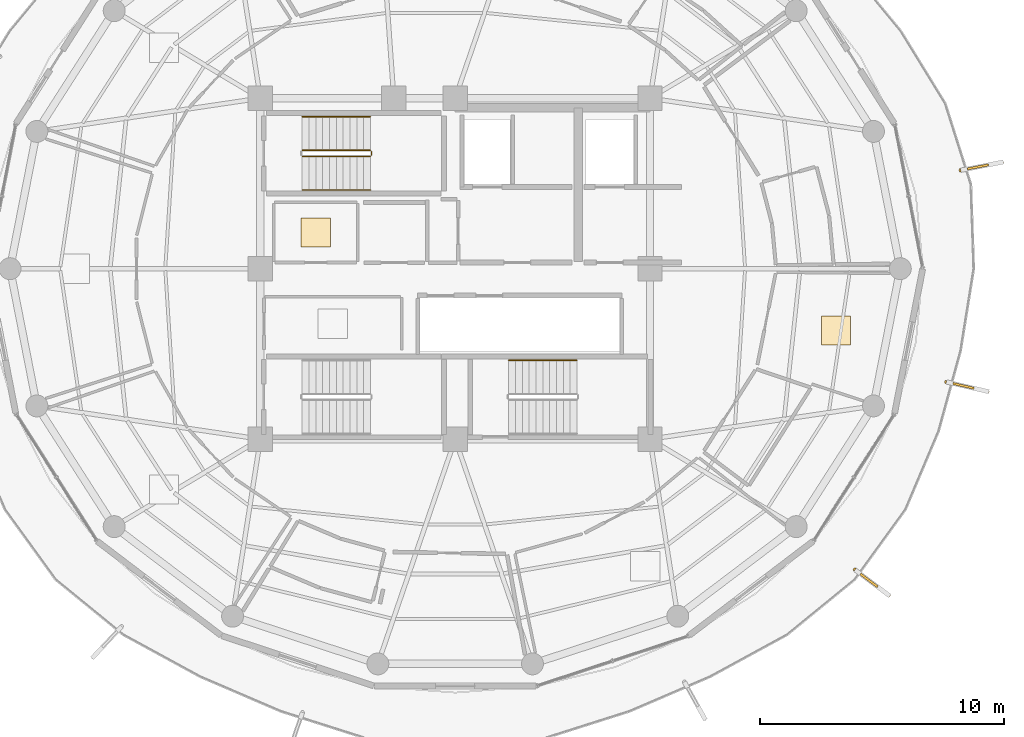
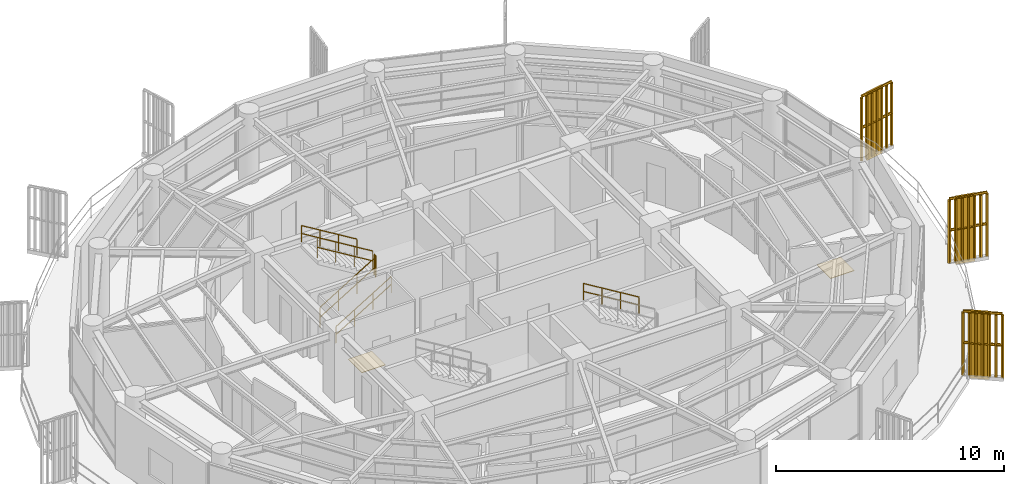
# One storey, part 23 of 24: 9 railings, 3 shading devices, 2 coverings.
"""IFC4 building model written with IfcOpenShell, lengths in metres."""

from ifc_helpers import new_model, si_unit, direction, frame, origin, origin_2d, place, context, subcontext, project, spatial, polyline, rectangle, outline, extrude, source, transform, mapped, material, layer, layer_set, type_object, element, save


model = new_model("IFC4")

# Units and contexts
model_context = context("Model", 3, precision=1e-05, world=origin(), true_north=direction((0.0, 1.0)))
body_context = subcontext(model_context, "Body", "Model", "MODEL_VIEW")
ifc_project = project(units=[si_unit("LENGTHUNIT", "METRE"), si_unit("AREAUNIT", "SQUARE_METRE"), si_unit("VOLUMEUNIT", "CUBIC_METRE"), si_unit("PLANEANGLEUNIT", "RADIAN"), si_unit("MASSUNIT", "GRAM", prefix="KILO")], contexts=[model_context])

# Site, building, storey
site_placement = place(None, origin())
site = spatial("IfcSite", under=ifc_project, at=site_placement, CompositionType="ELEMENT")
building_placement = place(site_placement, origin())
building = spatial("IfcBuilding", under=site, at=building_placement, Name="Kelanora Arch Commons", CompositionType="ELEMENT")
storey_placement = place(building_placement, frame((0.0, 0.0, 248.699951171875)))
storey = spatial("IfcBuildingStorey", under=building, at=storey_placement, Name="L63", CompositionType="ELEMENT", Elevation=248.699951171875)

# Railings
ifc_material_1 = material(Name="Anodised bronze vertical shading fin rib assembly")
railing_type_1 = type_object("IfcRailingType", Name="RAIL-FIN-BRZ", PredefinedType="BALUSTRADE", material=ifc_material_1)
railing_1_placement = place(storey_placement, frame((90.419677734375, 45.6337890625, -0.02001953125)))
element("IfcRailing", 1, at=railing_1_placement, inside=storey, type_object=railing_type_1, Name="Sweeping Bronze Vertical Fin Blade L63-00", PredefinedType="BALUSTRADE", context=body_context, shape_type="SweptSolid", body=[
    extrude(outline(polyline([(0.06982421875, 0.0), (0.034912109375, 0.060546875), (-0.034912109375, 0.060546875), (-0.06982421875, 0.0), (-0.034912109375, -0.060546875), (0.034912109375, -0.060546875), (0.06982421875, 0.0)])), frame((0.0, 0.0, 3.419921875), z_axis=(0.798779010445, -0.60162454444, 0.0), x_axis=(0.60162454444, 0.798779010445, 0.0)), (0.0, 0.0, 1.0), 1.72998046875),
    extrude(outline(polyline([(0.06982421875, 0.0), (0.034912109375, 0.060546875), (-0.034912109375, 0.060546875), (-0.06982421875, 0.0), (-0.034912109375, -0.060546875), (0.034912109375, -0.060546875), (0.06982421875, 0.0)])), frame((0.0, 0.0, 1.7451171875), z_axis=(0.798779010445, -0.60162454444, 0.0), x_axis=(0.60162454444, 0.798779010445, 0.0)), (0.0, 0.0, 1.0), 1.72998046875),
    extrude(outline(polyline([(0.080078125, 0.0), (0.0400390625, 0.0693359375), (-0.0400390625, 0.0693359375), (-0.080078125, 0.0), (-0.0400390625, -0.0693359375), (0.0400390625, -0.0693359375), (0.080078125, 0.0)])), origin(), (0.0, 0.0, 1.0), 3.35009765625),
    extrude(outline(polyline([(0.080078125, 0.0), (0.0400390625, 0.0693359375), (-0.0400390625, 0.0693359375), (-0.080078125, 0.0), (-0.0400390625, -0.0693359375), (0.0400390625, -0.0693359375), (0.080078125, 0.0)])), frame((0.230224609375, -0.17333984375, 0.0)), (0.0, 0.0, 1.0), 3.35009765625),
    extrude(outline(polyline([(0.080078125, 0.0), (0.0400390625, 0.0693359375), (-0.0400390625, 0.0693359375), (-0.080078125, 0.0), (-0.0400390625, -0.0693359375), (0.0400390625, -0.0693359375), (0.080078125, 0.0)])), frame((0.460693359375, -0.346923828125, 0.0)), (0.0, 0.0, 1.0), 3.35009765625),
    extrude(outline(polyline([(0.080078125, 0.0), (0.0400390625, 0.0693359375), (-0.0400390625, 0.0693359375), (-0.080078125, 0.0), (-0.0400390625, -0.0693359375), (0.0400390625, -0.0693359375), (0.080078125, 0.0)])), frame((0.69091796875, -0.5205078125, 0.0)), (0.0, 0.0, 1.0), 3.35009765625),
    extrude(outline(polyline([(0.080078125, 0.0), (0.0400390625, 0.0693359375), (-0.0400390625, 0.0693359375), (-0.080078125, 0.0), (-0.0400390625, -0.0693359375), (0.0400390625, -0.0693359375), (0.080078125, 0.0)])), frame((0.921142578125, -0.69384765625, 0.0)), (0.0, 0.0, 1.0), 3.35009765625),
    extrude(outline(polyline([(0.080078125, 0.0), (0.0400390625, 0.0693359375), (-0.0400390625, 0.0693359375), (-0.080078125, 0.0), (-0.0400390625, -0.0693359375), (0.0400390625, -0.0693359375), (0.080078125, 0.0)])), frame((1.151611328125, -0.8671875, 0.0)), (0.0, 0.0, 1.0), 3.35009765625),
    extrude(outline(polyline([(0.080078125, 0.0), (0.0400390625, 0.0693359375), (-0.0400390625, 0.0693359375), (-0.080078125, 0.0), (-0.0400390625, -0.0693359375), (0.0400390625, -0.0693359375), (0.080078125, 0.0)])), frame((1.3818359375, -1.040771484375, 0.0)), (0.0, 0.0, 1.0), 3.35009765625),
])
railing_2_placement = place(storey_placement, frame((94.1708984375, 53.3486328125, -0.02001953125)))
element("IfcRailing", 2, at=railing_2_placement, inside=storey, type_object=railing_type_1, Name="Sweeping Bronze Vertical Fin Blade L63-01", PredefinedType="BALUSTRADE", context=body_context, shape_type="SweptSolid", body=[
    extrude(outline(polyline([(0.06982421875, 0.0), (0.034912109375, 0.060546875), (-0.034912109375, 0.060546875), (-0.06982421875, 0.0), (-0.034912109375, -0.060546875), (0.034912109375, -0.060546875), (0.06982421875, 0.0)])), frame((0.0, 0.0, 3.419921875), z_axis=(0.974436366258, -0.224663677782, 0.0), x_axis=(0.224663677782, 0.974436366258, 0.0)), (0.0, 0.0, 1.0), 1.72998046875),
    extrude(outline(polyline([(0.06982421875, 0.0), (0.034912109375, 0.060546875), (-0.034912109375, 0.060546875), (-0.06982421875, 0.0), (-0.034912109375, -0.060546875), (0.034912109375, -0.060546875), (0.06982421875, 0.0)])), frame((0.0, 0.0, 1.7451171875), z_axis=(0.974436366258, -0.224663677782, 0.0), x_axis=(0.224663677782, 0.974436366258, 0.0)), (0.0, 0.0, 1.0), 1.72998046875),
    extrude(outline(polyline([(0.080078125, 0.0), (0.0400390625, 0.0693359375), (-0.0400390625, 0.0693359375), (-0.080078125, 0.0), (-0.0400390625, -0.0693359375), (0.0400390625, -0.0693359375), (0.080078125, 0.0)])), origin(), (0.0, 0.0, 1.0), 3.35009765625),
    extrude(outline(polyline([(0.080078125, 0.0), (0.0400390625, 0.0693359375), (-0.0400390625, 0.0693359375), (-0.080078125, 0.0), (-0.0400390625, -0.0693359375), (0.0400390625, -0.0693359375), (0.080078125, 0.0)])), frame((0.281005859375, -0.064697265625, 0.0)), (0.0, 0.0, 1.0), 3.35009765625),
    extrude(outline(polyline([(0.080078125, 0.0), (0.0400390625, 0.0693359375), (-0.0400390625, 0.0693359375), (-0.080078125, 0.0), (-0.0400390625, -0.0693359375), (0.0400390625, -0.0693359375), (0.080078125, 0.0)])), frame((0.56201171875, -0.129638671875, 0.0)), (0.0, 0.0, 1.0), 3.35009765625),
    extrude(outline(polyline([(0.080078125, 0.0), (0.0400390625, 0.0693359375), (-0.0400390625, 0.0693359375), (-0.080078125, 0.0), (-0.0400390625, -0.0693359375), (0.0400390625, -0.0693359375), (0.080078125, 0.0)])), frame((0.8427734375, -0.1943359375, 0.0)), (0.0, 0.0, 1.0), 3.35009765625),
    extrude(outline(polyline([(0.080078125, 0.0), (0.0400390625, 0.0693359375), (-0.0400390625, 0.0693359375), (-0.080078125, 0.0), (-0.0400390625, -0.0693359375), (0.0400390625, -0.0693359375), (0.080078125, 0.0)])), frame((1.123779296875, -0.259033203125, 0.0)), (0.0, 0.0, 1.0), 3.35009765625),
    extrude(outline(polyline([(0.080078125, 0.0), (0.0400390625, 0.0693359375), (-0.0400390625, 0.0693359375), (-0.080078125, 0.0), (-0.0400390625, -0.0693359375), (0.0400390625, -0.0693359375), (0.080078125, 0.0)])), frame((1.40478515625, -0.323974609375, 0.0)), (0.0, 0.0, 1.0), 3.35009765625),
    extrude(outline(polyline([(0.080078125, 0.0), (0.0400390625, 0.0693359375), (-0.0400390625, 0.0693359375), (-0.080078125, 0.0), (-0.0400390625, -0.0693359375), (0.0400390625, -0.0693359375), (0.080078125, 0.0)])), frame((1.685791015625, -0.388671875, 0.0)), (0.0, 0.0, 1.0), 3.35009765625),
])
railing_3_placement = place(storey_placement, frame((94.75927734375, 62.040771484375, -0.02001953125)))
element("IfcRailing", 3, at=railing_3_placement, inside=storey, type_object=railing_type_1, Name="Sweeping Bronze Vertical Fin Blade L63-02", PredefinedType="BALUSTRADE", context=body_context, shape_type="SweptSolid", body=[
    extrude(outline(polyline([(0.06982421875, 0.0), (0.034912109375, 0.060546875), (-0.034912109375, 0.060546875), (-0.06982421875, 0.0), (-0.034912109375, -0.060546875), (0.034912109375, -0.060546875), (0.06982421875, 0.0)])), frame((0.0, 0.0, 3.419921875), z_axis=(0.98157718052, 0.191066058428, 0.0), x_axis=(-0.191066058428, 0.98157718052, 0.0)), (0.0, 0.0, 1.0), 1.730224609375),
    extrude(outline(polyline([(0.06982421875, 0.0), (0.034912109375, 0.060546875), (-0.034912109375, 0.060546875), (-0.06982421875, 0.0), (-0.034912109375, -0.060546875), (0.034912109375, -0.060546875), (0.06982421875, 0.0)])), frame((0.0, 0.0, 1.7451171875), z_axis=(0.98157718052, 0.191066058428, 0.0), x_axis=(-0.191066058428, 0.98157718052, 0.0)), (0.0, 0.0, 1.0), 1.730224609375),
    extrude(outline(polyline([(0.080078125, 0.0), (0.0400390625, 0.0693359375), (-0.0400390625, 0.0693359375), (-0.080078125, 0.0), (-0.0400390625, -0.0693359375), (0.0400390625, -0.0693359375), (0.080078125, 0.0)])), origin(), (0.0, 0.0, 1.0), 3.35009765625),
    extrude(outline(polyline([(0.080078125, 0.0), (0.0400390625, 0.0693359375), (-0.0400390625, 0.0693359375), (-0.080078125, 0.0), (-0.0400390625, -0.0693359375), (0.0400390625, -0.0693359375), (0.080078125, 0.0)])), frame((0.282958984375, 0.05517578125, 0.0)), (0.0, 0.0, 1.0), 3.35009765625),
    extrude(outline(polyline([(0.080078125, 0.0), (0.0400390625, 0.0693359375), (-0.0400390625, 0.0693359375), (-0.080078125, 0.0), (-0.0400390625, -0.0693359375), (0.0400390625, -0.0693359375), (0.080078125, 0.0)])), frame((0.566162109375, 0.110107421875, 0.0)), (0.0, 0.0, 1.0), 3.35009765625),
    extrude(outline(polyline([(0.080078125, 0.0), (0.0400390625, 0.0693359375), (-0.0400390625, 0.0693359375), (-0.080078125, 0.0), (-0.0400390625, -0.0693359375), (0.0400390625, -0.0693359375), (0.080078125, 0.0)])), frame((0.84912109375, 0.165283203125, 0.0)), (0.0, 0.0, 1.0), 3.35009765625),
    extrude(outline(polyline([(0.080078125, 0.0), (0.0400390625, 0.0693359375), (-0.0400390625, 0.0693359375), (-0.080078125, 0.0), (-0.0400390625, -0.0693359375), (0.0400390625, -0.0693359375), (0.080078125, 0.0)])), frame((1.132080078125, 0.220458984375, 0.0)), (0.0, 0.0, 1.0), 3.35009765625),
    extrude(outline(polyline([(0.080078125, 0.0), (0.0400390625, 0.0693359375), (-0.0400390625, 0.0693359375), (-0.080078125, 0.0), (-0.0400390625, -0.0693359375), (0.0400390625, -0.0693359375), (0.080078125, 0.0)])), frame((1.415283203125, 0.275390625, 0.0)), (0.0, 0.0, 1.0), 3.35009765625),
    extrude(outline(polyline([(0.080078125, 0.0), (0.0400390625, 0.0693359375), (-0.0400390625, 0.0693359375), (-0.080078125, 0.0), (-0.0400390625, -0.0693359375), (0.0400390625, -0.0693359375), (0.080078125, 0.0)])), frame((1.6982421875, 0.33056640625, 0.0)), (0.0, 0.0, 1.0), 3.35009765625),
])
ifc_material_2 = material(Name="Painted steel stair well guard", Category="steel")
railing_type_2 = type_object("IfcRailingType", Name="RAIL-STAIR-GRD", PredefinedType="GUARDRAIL", material=ifc_material_2)
railing_4_placement = place(storey_placement, frame((67.719970703125, 62.610107421875, 0.17041015625)))
element("IfcRailing", 4, at=railing_4_placement, inside=storey, type_object=railing_type_2, Name="L63 ST-T1 stair guard 1", PredefinedType="GUARDRAIL", context=body_context, shape_type="SweptSolid", body=[
    extrude(outline(polyline([(0.02392578125, 0.0), (0.011962890625, 0.020751953125), (-0.011962890625, 0.020751953125), (-0.02392578125, 0.0), (-0.011962890625, -0.020751953125), (0.011962890625, -0.020751953125), (0.02392578125, 0.0)])), frame((0.0, 0.0, 1.076171875), z_axis=(0.854169791009, 0.0, 0.51999420009), x_axis=(0.0, 1.0, 0.0)), (0.0, 0.0, 1.0), 3.278076171875),
    extrude(outline(polyline([(0.02392578125, 0.0), (0.011962890625, 0.020751953125), (-0.011962890625, 0.020751953125), (-0.02392578125, 0.0), (-0.011962890625, -0.020751953125), (0.011962890625, -0.020751953125), (0.02392578125, 0.0)])), frame((0.0, 0.0, 0.550048828125), z_axis=(0.854169791009, 0.0, 0.51999420009), x_axis=(0.0, 1.0, 0.0)), (0.0, 0.0, 1.0), 3.278076171875),
    extrude(outline(polyline([(0.02099609375, 0.0), (0.010498046875, 0.01806640625), (-0.010498046875, 0.01806640625), (-0.02099609375, 0.0), (-0.010498046875, -0.01806640625), (0.010498046875, -0.01806640625), (0.02099609375, 0.0)])), origin(), (0.0, 0.0, 1.0), 1.052001953125),
    extrude(outline(polyline([(0.02099609375, 0.0), (0.010498046875, 0.01806640625), (-0.010498046875, 0.01806640625), (-0.02099609375, 0.0), (-0.010498046875, -0.01806640625), (0.010498046875, -0.01806640625), (0.02099609375, 0.0)])), frame((0.933349609375, 0.0, 0.568115234375)), (0.0, 0.0, 1.0), 1.052001953125),
    extrude(outline(polyline([(0.02099609375, 0.0), (0.010498046875, 0.01806640625), (-0.010498046875, 0.01806640625), (-0.02099609375, 0.0), (-0.010498046875, -0.01806640625), (0.010498046875, -0.01806640625), (0.02099609375, 0.0)])), frame((1.86669921875, 0.0, 1.136474609375)), (0.0, 0.0, 1.0), 1.052001953125),
    extrude(outline(polyline([(0.02099609375, 0.0), (0.010498046875, 0.01806640625), (-0.010498046875, 0.01806640625), (-0.02099609375, 0.0), (-0.010498046875, -0.01806640625), (0.010498046875, -0.01806640625), (0.02099609375, 0.0)])), frame((2.800048828125, 0.0, 1.70458984375)), (0.0, 0.0, 1.0), 1.052001953125),
])
railing_5_placement = place(storey_placement, frame((70.570068359375, 62.659912109375, 1.875)))
element("IfcRailing", 5, at=railing_5_placement, inside=storey, type_object=railing_type_2, Name="L63 ST-T1 stair guard 2", PredefinedType="GUARDRAIL", context=body_context, shape_type="SweptSolid", body=[
    extrude(outline(polyline([(0.02392578125, 0.0), (0.011962890625, 0.020751953125), (-0.011962890625, 0.020751953125), (-0.02392578125, 0.0), (-0.011962890625, -0.020751953125), (0.011962890625, -0.020751953125), (0.02392578125, 0.0)])), frame((0.0, 0.0, 1.076171875), z_axis=(0.0, 1.0, 0.0), x_axis=(-1.0, 0.0, 0.0)), (0.0, 0.0, 1.0), 0.150146484375),
    extrude(outline(polyline([(0.02392578125, 0.0), (0.011962890625, 0.020751953125), (-0.011962890625, 0.020751953125), (-0.02392578125, 0.0), (-0.011962890625, -0.020751953125), (0.011962890625, -0.020751953125), (0.02392578125, 0.0)])), frame((0.0, 0.0, 0.550048828125), z_axis=(0.0, 1.0, 0.0), x_axis=(-1.0, 0.0, 0.0)), (0.0, 0.0, 1.0), 0.150146484375),
    extrude(outline(polyline([(0.02099609375, 0.0), (0.010498046875, 0.01806640625), (-0.010498046875, 0.01806640625), (-0.02099609375, 0.0), (-0.010498046875, -0.01806640625), (0.010498046875, -0.01806640625), (0.02099609375, 0.0)])), origin(), (0.0, 0.0, 1.0), 1.052001953125),
    extrude(outline(polyline([(0.02099609375, 0.0), (0.010498046875, 0.01806640625), (-0.010498046875, 0.01806640625), (-0.02099609375, 0.0), (-0.010498046875, -0.01806640625), (0.010498046875, -0.01806640625), (0.02099609375, 0.0)])), frame((0.0, 0.150146484375, 0.0)), (0.0, 0.0, 1.0), 1.052001953125),
])
railing_6_placement = place(storey_placement, frame((70.52001953125, 62.860107421875, 2.04541015625)))
element("IfcRailing", 6, at=railing_6_placement, inside=storey, type_object=railing_type_2, Name="L63 ST-T1 stair guard 3", PredefinedType="GUARDRAIL", context=body_context, shape_type="SweptSolid", body=[
    extrude(outline(polyline([(0.02392578125, 0.0), (0.011962890625, 0.020751953125), (-0.011962890625, 0.020751953125), (-0.02392578125, 0.0), (-0.011962890625, -0.020751953125), (0.011962890625, -0.020751953125), (0.02392578125, 0.0)])), frame((0.0, 0.0, 1.076171875), z_axis=(-0.854169791009, 0.0, 0.51999420009), x_axis=(0.0, -1.0, 0.0)), (0.0, 0.0, 1.0), 3.278076171875),
    extrude(outline(polyline([(0.02392578125, 0.0), (0.011962890625, 0.020751953125), (-0.011962890625, 0.020751953125), (-0.02392578125, 0.0), (-0.011962890625, -0.020751953125), (0.011962890625, -0.020751953125), (0.02392578125, 0.0)])), frame((0.0, 0.0, 0.550048828125), z_axis=(-0.854169791009, 0.0, 0.51999420009), x_axis=(0.0, -1.0, 0.0)), (0.0, 0.0, 1.0), 3.278076171875),
    extrude(outline(polyline([(0.02099609375, 0.0), (0.010498046875, 0.01806640625), (-0.010498046875, 0.01806640625), (-0.02099609375, 0.0), (-0.010498046875, -0.01806640625), (0.010498046875, -0.01806640625), (0.02099609375, 0.0)])), origin(), (0.0, 0.0, 1.0), 1.052001953125),
    extrude(outline(polyline([(0.02099609375, 0.0), (0.010498046875, 0.01806640625), (-0.010498046875, 0.01806640625), (-0.02099609375, 0.0), (-0.010498046875, -0.01806640625), (0.010498046875, -0.01806640625), (0.02099609375, 0.0)])), frame((-0.933349609375, 0.0, 0.568115234375)), (0.0, 0.0, 1.0), 1.052001953125),
    extrude(outline(polyline([(0.02099609375, 0.0), (0.010498046875, 0.01806640625), (-0.010498046875, 0.01806640625), (-0.02099609375, 0.0), (-0.010498046875, -0.01806640625), (0.010498046875, -0.01806640625), (0.02099609375, 0.0)])), frame((-1.86669921875, 0.0, 1.136474609375)), (0.0, 0.0, 1.0), 1.052001953125),
    extrude(outline(polyline([(0.02099609375, 0.0), (0.010498046875, 0.01806640625), (-0.010498046875, 0.01806640625), (-0.02099609375, 0.0), (-0.010498046875, -0.01806640625), (0.010498046875, -0.01806640625), (0.02099609375, 0.0)])), frame((-2.800048828125, 0.0, 1.70458984375)), (0.0, 0.0, 1.0), 1.052001953125),
])
ifc_material_3 = material(Name="Brushed stainless steel stair handrail", Category="steel")
railing_type_3 = type_object("IfcRailingType", Name="RAIL-STAIR-HND", PredefinedType="HANDRAIL", material=ifc_material_3)
railing_7_placement = place(storey_placement, frame((67.719970703125, 61.22998046875, 0.17041015625)))
element("IfcRailing", 7, at=railing_7_placement, inside=storey, type_object=railing_type_3, Name="L63 ST-T1 stair handrail 1", PredefinedType="HANDRAIL", context=body_context, shape_type="SweptSolid", body=[
    extrude(outline(polyline([(0.02392578125, 0.0), (0.011962890625, 0.020751953125), (-0.011962890625, 0.020751953125), (-0.02392578125, 0.0), (-0.011962890625, -0.020751953125), (0.011962890625, -0.020751953125), (0.02392578125, 0.0)])), frame((0.0, 0.0, 0.8759765625), z_axis=(0.854169791009, 0.0, 0.51999420009), x_axis=(0.0, 1.0, 0.0)), (0.0, 0.0, 1.0), 3.278076171875),
    extrude(outline(polyline([(0.02392578125, 0.0), (0.011962890625, 0.020751953125), (-0.011962890625, 0.020751953125), (-0.02392578125, 0.0), (-0.011962890625, -0.020751953125), (0.011962890625, -0.020751953125), (0.02392578125, 0.0)])), frame((0.0, 0.0, 0.449951171875), z_axis=(0.854169791009, 0.0, 0.51999420009), x_axis=(0.0, 1.0, 0.0)), (0.0, 0.0, 1.0), 3.278076171875),
    extrude(outline(polyline([(0.02099609375, 0.0), (0.010498046875, 0.01806640625), (-0.010498046875, 0.01806640625), (-0.02099609375, 0.0), (-0.010498046875, -0.01806640625), (0.010498046875, -0.01806640625), (0.02099609375, 0.0)])), origin(), (0.0, 0.0, 1.0), 0.851806640625),
    extrude(outline(polyline([(0.02099609375, 0.0), (0.010498046875, 0.01806640625), (-0.010498046875, 0.01806640625), (-0.02099609375, 0.0), (-0.010498046875, -0.01806640625), (0.010498046875, -0.01806640625), (0.02099609375, 0.0)])), frame((0.933349609375, 0.0, 0.568115234375)), (0.0, 0.0, 1.0), 0.851806640625),
    extrude(outline(polyline([(0.02099609375, 0.0), (0.010498046875, 0.01806640625), (-0.010498046875, 0.01806640625), (-0.02099609375, 0.0), (-0.010498046875, -0.01806640625), (0.010498046875, -0.01806640625), (0.02099609375, 0.0)])), frame((1.86669921875, 0.0, 1.136474609375)), (0.0, 0.0, 1.0), 0.851806640625),
    extrude(outline(polyline([(0.02099609375, 0.0), (0.010498046875, 0.01806640625), (-0.010498046875, 0.01806640625), (-0.02099609375, 0.0), (-0.010498046875, -0.01806640625), (0.010498046875, -0.01806640625), (0.02099609375, 0.0)])), frame((2.800048828125, 0.0, 1.70458984375)), (0.0, 0.0, 1.0), 0.851806640625),
])
railing_8_placement = place(storey_placement, frame((70.52001953125, 64.239990234375, 2.04541015625)))
element("IfcRailing", 8, at=railing_8_placement, inside=storey, type_object=railing_type_3, Name="L63 ST-T1 stair handrail 2", PredefinedType="HANDRAIL", context=body_context, shape_type="SweptSolid", body=[
    extrude(outline(polyline([(0.02392578125, 0.0), (0.011962890625, 0.020751953125), (-0.011962890625, 0.020751953125), (-0.02392578125, 0.0), (-0.011962890625, -0.020751953125), (0.011962890625, -0.020751953125), (0.02392578125, 0.0)])), frame((0.0, 0.0, 0.8759765625), z_axis=(-0.854169791009, 0.0, 0.51999420009), x_axis=(0.0, -1.0, 0.0)), (0.0, 0.0, 1.0), 3.278076171875),
    extrude(outline(polyline([(0.02392578125, 0.0), (0.011962890625, 0.020751953125), (-0.011962890625, 0.020751953125), (-0.02392578125, 0.0), (-0.011962890625, -0.020751953125), (0.011962890625, -0.020751953125), (0.02392578125, 0.0)])), frame((0.0, 0.0, 0.449951171875), z_axis=(-0.854169791009, 0.0, 0.51999420009), x_axis=(0.0, -1.0, 0.0)), (0.0, 0.0, 1.0), 3.278076171875),
    extrude(outline(polyline([(0.02099609375, 0.0), (0.010498046875, 0.01806640625), (-0.010498046875, 0.01806640625), (-0.02099609375, 0.0), (-0.010498046875, -0.01806640625), (0.010498046875, -0.01806640625), (0.02099609375, 0.0)])), origin(), (0.0, 0.0, 1.0), 0.851806640625),
    extrude(outline(polyline([(0.02099609375, 0.0), (0.010498046875, 0.01806640625), (-0.010498046875, 0.01806640625), (-0.02099609375, 0.0), (-0.010498046875, -0.01806640625), (0.010498046875, -0.01806640625), (0.02099609375, 0.0)])), frame((-0.933349609375, 0.0, 0.568115234375)), (0.0, 0.0, 1.0), 0.851806640625),
    extrude(outline(polyline([(0.02099609375, 0.0), (0.010498046875, 0.01806640625), (-0.010498046875, 0.01806640625), (-0.02099609375, 0.0), (-0.010498046875, -0.01806640625), (0.010498046875, -0.01806640625), (0.02099609375, 0.0)])), frame((-1.86669921875, 0.0, 1.136474609375)), (0.0, 0.0, 1.0), 0.851806640625),
    extrude(outline(polyline([(0.02099609375, 0.0), (0.010498046875, 0.01806640625), (-0.010498046875, 0.01806640625), (-0.02099609375, 0.0), (-0.010498046875, -0.01806640625), (0.010498046875, -0.01806640625), (0.02099609375, 0.0)])), frame((-2.800048828125, 0.0, 1.70458984375)), (0.0, 0.0, 1.0), 0.851806640625),
])
railing_9_placement = place(storey_placement, frame((79.0, 54.239990234375, 2.04541015625)))
element("IfcRailing", 9, at=railing_9_placement, inside=storey, type_object=railing_type_3, Name="L63 ST-T2 stair handrail 2", PredefinedType="HANDRAIL", context=body_context, shape_type="SweptSolid", body=[
    extrude(outline(polyline([(0.02392578125, 0.0), (0.011962890625, 0.020751953125), (-0.011962890625, 0.020751953125), (-0.02392578125, 0.0), (-0.011962890625, -0.020751953125), (0.011962890625, -0.020751953125), (0.02392578125, 0.0)])), frame((0.0, 0.0, 0.8759765625), z_axis=(-0.854169791009, 0.0, 0.51999420009), x_axis=(0.0, -1.0, 0.0)), (0.0, 0.0, 1.0), 3.278076171875),
    extrude(outline(polyline([(0.02392578125, 0.0), (0.011962890625, 0.020751953125), (-0.011962890625, 0.020751953125), (-0.02392578125, 0.0), (-0.011962890625, -0.020751953125), (0.011962890625, -0.020751953125), (0.02392578125, 0.0)])), frame((0.0, 0.0, 0.449951171875), z_axis=(-0.854169791009, 0.0, 0.51999420009), x_axis=(0.0, -1.0, 0.0)), (0.0, 0.0, 1.0), 3.278076171875),
    extrude(outline(polyline([(0.02099609375, 0.0), (0.010498046875, 0.01806640625), (-0.010498046875, 0.01806640625), (-0.02099609375, 0.0), (-0.010498046875, -0.01806640625), (0.010498046875, -0.01806640625), (0.02099609375, 0.0)])), origin(), (0.0, 0.0, 1.0), 0.851806640625),
    extrude(outline(polyline([(0.02099609375, 0.0), (0.010498046875, 0.01806640625), (-0.010498046875, 0.01806640625), (-0.02099609375, 0.0), (-0.010498046875, -0.01806640625), (0.010498046875, -0.01806640625), (0.02099609375, 0.0)])), frame((-0.933349609375, 0.0, 0.568115234375)), (0.0, 0.0, 1.0), 0.851806640625),
    extrude(outline(polyline([(0.02099609375, 0.0), (0.010498046875, 0.01806640625), (-0.010498046875, 0.01806640625), (-0.02099609375, 0.0), (-0.010498046875, -0.01806640625), (0.010498046875, -0.01806640625), (0.02099609375, 0.0)])), frame((-1.86669921875, 0.0, 1.136474609375)), (0.0, 0.0, 1.0), 0.851806640625),
    extrude(outline(polyline([(0.02099609375, 0.0), (0.010498046875, 0.01806640625), (-0.010498046875, 0.01806640625), (-0.02099609375, 0.0), (-0.010498046875, -0.01806640625), (0.010498046875, -0.01806640625), (0.02099609375, 0.0)])), frame((-2.800048828125, 0.0, 1.70458984375)), (0.0, 0.0, 1.0), 0.851806640625),
])

# Shading devices
ifc_material_4 = material(Name="Terracotta ceramic-clad extruded aluminium fin", Category="masonry")
shading_device_type = type_object("IfcShadingDeviceType", Name="SHD-FIN-FLARE", PredefinedType="USERDEFINED", material=ifc_material_4)
shared_shape_1 = source(origin(), body_context, "Body", "SweptSolid", [
    extrude(rectangle(XDim=0.8798828125, YDim=0.090087890625, at=origin_2d()), origin(), (0.0, 0.0, 1.0), 3.610107421875),
])
for number, where, z_axis, x_axis, name in (
    (10, (90.99462890625, 45.200439453125, -0.14013671875), (0.0, 0.0, 1.0), (0.79884553446, -0.60153621011, 0.0), "Sweeping Terracotta Fin L63-00"),
    (11, (94.87255859375, 53.18701171875, -0.14013671875), (0.0, 0.0, 1.0), (0.974448528153, -0.224610921331, 0.0), "Sweeping Terracotta Fin L63-01"),
    (12, (95.466064453125, 62.178466796875, -0.14013671875), (0.0, 0.0, 1.0), (0.981560518741, 0.191151636272, 0.0), "Sweeping Terracotta Fin L63-02"),
):
    element("IfcShadingDevice", number, at=place(storey_placement, frame(where, z_axis=z_axis, x_axis=x_axis)), inside=storey, type_object=shading_device_type, Name=name, ObjectType="FIN", PredefinedType="USERDEFINED", context=body_context, shape_type="MappedRepresentation", body=[
        mapped(shared_shape_1, transform((0.0, 0.0, 0.0), scale=1.0)),
    ])

# Coverings
ifc_material_5 = material(Name="Polished local granite terrazzo flooring", Category="masonry")
ifc_layer = layer(ifc_material_5, 0.030029296875)
ifc_layer_set = layer_set([ifc_layer], Name="Polished local granite terrazzo flooring")
covering_type = type_object("IfcCoveringType", Name="COV-FLR-TER", PredefinedType="FLOORING", material=ifc_layer_set)
shared_shape_2 = source(origin(), body_context, "Body", "SweptSolid", [
    extrude(rectangle(XDim=1.199951171875, YDim=1.199951171875, at=origin_2d()), origin(), (0.0, 0.0, 1.0), 0.030029296875),
])
for number, where, z_axis, x_axis, name in (
    (13, (68.27490234375, 59.485107421875, 0.0), (0.0, 0.0, 1.0), (1.0, 0.0, 0.0), "Reclaimed Core Quiet Phone Booths L63 Terrazzo Finish"),
    (14, (89.642822265625, 55.456298828125, 0.0), (0.0, 0.0, 1.0), (1.0, 0.0, 0.0), "Tutorial Study Alcove L63-09 Terrazzo Finish"),
):
    element("IfcCovering", number, at=place(storey_placement, frame(where, z_axis=z_axis, x_axis=x_axis)), inside=storey, type_object=covering_type, Name=name, PredefinedType="FLOORING", context=body_context, shape_type="MappedRepresentation", body=[
        mapped(shared_shape_2, transform((0.0, 0.0, 0.0), scale=1.0)),
    ])

save(model, "model.ifc")
